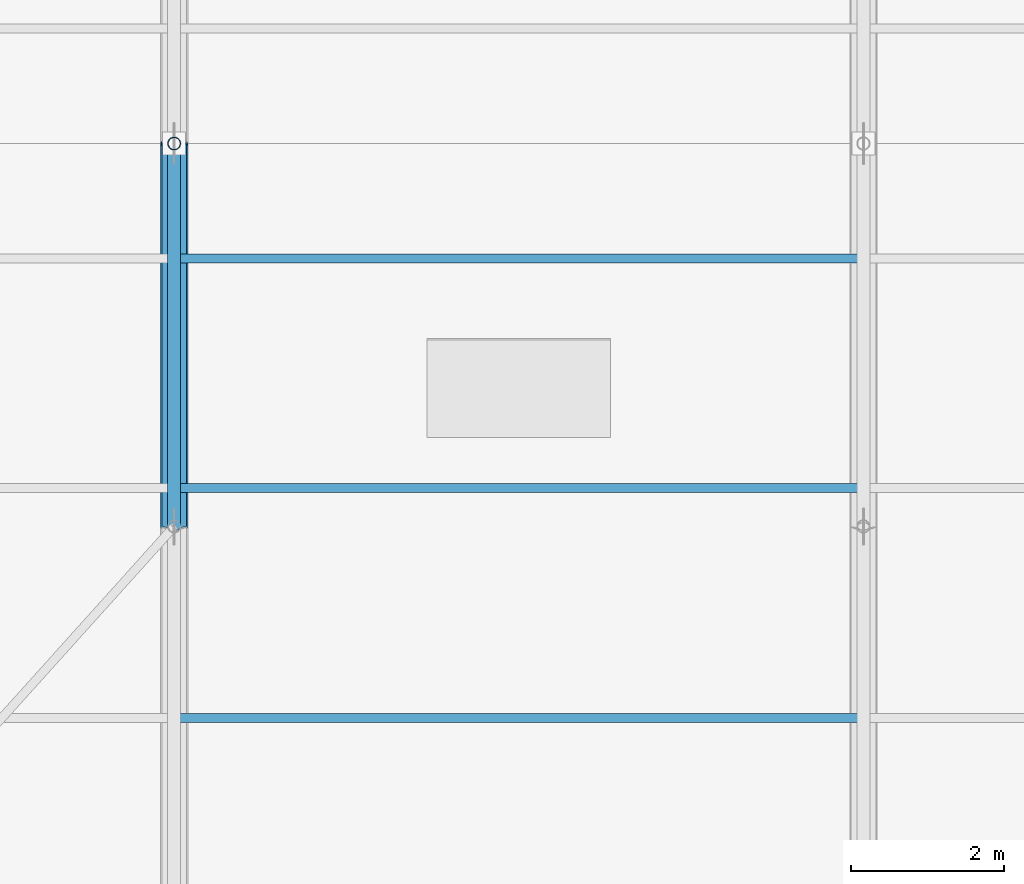
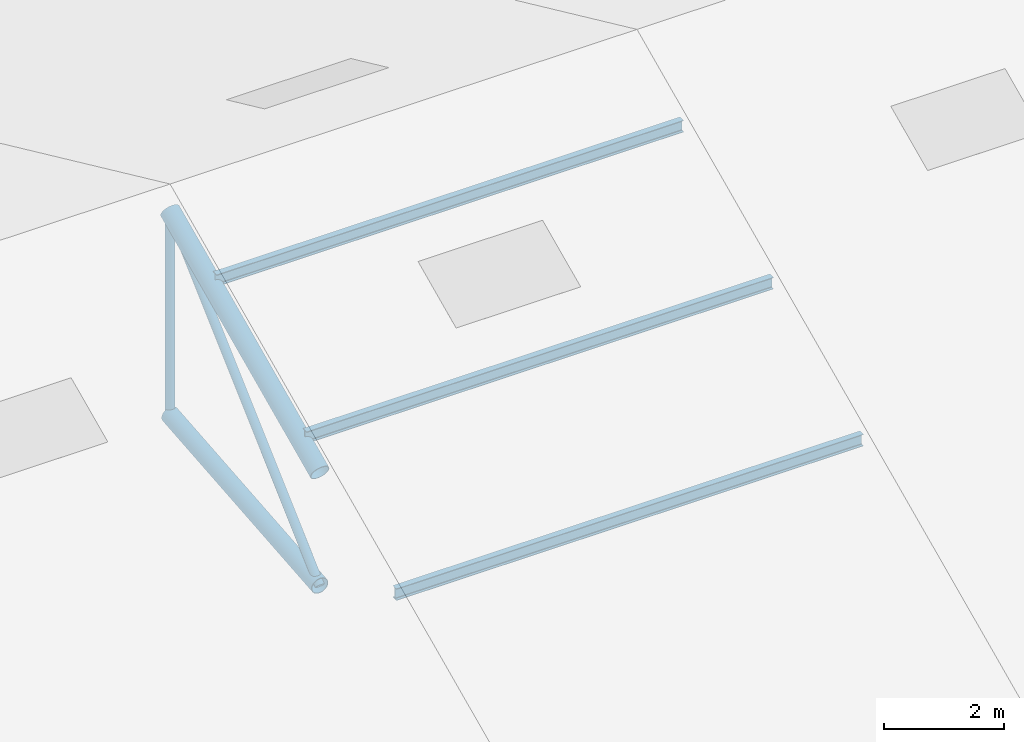
# One storey, part 21 of 107: 7 members.
"""IFC4 building model written with IfcOpenShell, lengths in metres."""

from ifc_helpers import new_model, si_unit, derived_unit, direction, frame, origin, origin_2d, place, context, subcontext, project, spatial, hollow_circle, i_section, extrude, material, material_profile, profile_set, type_object, element, save


model = new_model("IFC4")

# Units and contexts
model_context = context("Model", 3, precision=1e-05, world=origin(), true_north=direction((0.0, 1.0)))
body_context = subcontext(model_context, "Body", "Model", "MODEL_VIEW")
ifc_project = project(units=[si_unit("LENGTHUNIT", "METRE"), si_unit("AREAUNIT", "SQUARE_METRE"), si_unit("VOLUMEUNIT", "CUBIC_METRE"), si_unit("PLANEANGLEUNIT", "RADIAN"), si_unit("MASSUNIT", "GRAM", prefix="KILO"), si_unit("THERMODYNAMICTEMPERATUREUNIT", "KELVIN"), si_unit("TIMEUNIT", "SECOND"), derived_unit("THERMALTRANSMITTANCEUNIT", [(si_unit("MASSUNIT", "GRAM", prefix="KILO"), 1), (si_unit("THERMODYNAMICTEMPERATUREUNIT", "KELVIN"), -1), (si_unit("TIMEUNIT", "SECOND"), -3)])], contexts=[model_context])

# Site, building, storey
site_placement = place(None, origin())
site = spatial("IfcSite", under=ifc_project, at=site_placement, CompositionType="ELEMENT")
building_placement = place(site_placement, origin())
building = spatial("IfcBuilding", under=site, at=building_placement, Name="Cambertide Market Hall", CompositionType="ELEMENT")
storey_placement = place(building_placement, frame((0.0, 0.0, 18.300048828125)))
storey = spatial("IfcBuildingStorey", under=building, at=storey_placement, Name="RF", CompositionType="ELEMENT", Elevation=18.300048828125)

# Members
ifc_material_1 = material(Name="Steel S355", Category="steel")
ifc_material_profile_1 = material_profile(ifc_material_1, hollow_circle(Radius=0.161865234375, WallThickness=0.010009765625, at=origin_2d()), Name="CHS 323.9x10")
ifc_profile_set_1 = profile_set([ifc_material_profile_1], Name="Steel S355")
member_type_1 = type_object("IfcMemberType", Name="Arched Truss Chord CHS 323.9x10", PredefinedType="CHORD", material=ifc_profile_set_1)
member_1_placement = place(storey_placement, frame((78.0, 67.0, -4.955322265625), z_axis=(0.0, 0.9958792443, 0.090689198761), x_axis=(-1.0, 0.0, 0.0)))
element("IfcMember", 1, at=member_1_placement, inside=storey, type_object=member_type_1, Name="Roof Truss 5 Arched Bottom Chord 4", PredefinedType="CHORD", context=body_context, shape_type="SweptSolid", body=[
    extrude(hollow_circle(Radius=0.161865234375, WallThickness=0.010009765625, at=origin_2d()), origin(), (0.0, 0.0, 1.0), 5.020751953125),
])
ifc_material_2 = material(Name="Steel S355", Category="steel")
ifc_material_profile_2 = material_profile(ifc_material_2, hollow_circle(Radius=0.177734375, WallThickness=0.012451171875, at=origin_2d()), Name="CHS 355.6x12.5")
ifc_profile_set_2 = profile_set([ifc_material_profile_2], Name="Steel S355")
member_type_2 = type_object("IfcMemberType", Name="Arched Truss Chord CHS 355.6x12.5", PredefinedType="CHORD", material=ifc_profile_set_2)
member_2_placement = place(storey_placement, frame((78.0, 67.0, -2.650146484375), z_axis=(0.0, 0.908487084298, 0.417912930721), x_axis=(-1.0, 0.0, 0.0)))
element("IfcMember", 2, at=member_2_placement, inside=storey, type_object=member_type_2, Name="Roof Truss 5 Top Chord 4", PredefinedType="CHORD", context=body_context, shape_type="SweptSolid", body=[
    extrude(hollow_circle(Radius=0.177734375, WallThickness=0.012451171875, at=origin_2d()), origin(), (0.0, 0.0, 1.0), 5.503662109375),
])
ifc_material_3 = material(Name="Steel S275", Category="steel")
ifc_material_profile_3 = material_profile(ifc_material_3, i_section(OverallWidth=0.1201171875, OverallDepth=0.239990234375, WebThickness=0.006103515625, FlangeThickness=0.009765625, FilletRadius=0.014892578125, at=origin_2d()), Name="IPE 240")
ifc_profile_set_3 = profile_set([ifc_material_profile_3], Name="Steel S275")
member_type_3 = type_object("IfcMemberType", Name="Roof Purlin IPE 240", PredefinedType="PURLIN", material=ifc_profile_set_3)
for number, where, z_axis, x_axis, name in (
    (3, (78.0, 64.5, -3.590087890625), (1.0, 0.0, 0.0), (0.0, 1.0, 0.0), "Barrel Roof Purlin 5-06"),
    (4, (78.0, 67.5, -2.2099609375), (1.0, 0.0, 0.0), (0.0, 1.0, 0.0), "Barrel Roof Purlin 5-07"),
    (5, (78.0, 70.5, -0.830078125), (1.0, 0.0, 0.0), (0.0, 1.0, 0.0), "Barrel Roof Purlin 5-08"),
):
    element("IfcMember", number, at=place(storey_placement, frame(where, z_axis=z_axis, x_axis=x_axis)), inside=storey, type_object=member_type_3, Name=name, PredefinedType="PURLIN", context=body_context, shape_type="SweptSolid", body=[
        extrude(i_section(OverallWidth=0.1201171875, OverallDepth=0.239990234375, WebThickness=0.006103515625, FlangeThickness=0.009765625, FilletRadius=0.014892578125, at=origin_2d()), origin(), (0.0, 0.0, 1.0), 9.0),
    ])
ifc_material_4 = material(Name="Steel S355", Category="steel")
ifc_material_profile_4 = material_profile(ifc_material_4, hollow_circle(Radius=0.084228515625, WallThickness=0.00634765625, at=origin_2d()), Name="CHS 168.3x6.3")
ifc_profile_set_4 = profile_set([ifc_material_profile_4], Name="Steel S355")
member_type_4 = type_object("IfcMemberType", Name="Structural Brace CHS 168.3x6.3", PredefinedType="BRACE", material=ifc_profile_set_4)
member_3_placement = place(storey_placement, frame((78.0, 67.0, -4.955322265625), z_axis=(0.0, 0.73554793102, 0.677472686662), x_axis=(-1.0, 0.0, 0.0)))
element("IfcMember", 6, at=member_3_placement, inside=storey, type_object=member_type_4, Name="Roof Truss 5 Web Diagonal 4", PredefinedType="BRACE", context=body_context, shape_type="SweptSolid", body=[
    extrude(hollow_circle(Radius=0.084228515625, WallThickness=0.00634765625, at=origin_2d()), origin(), (0.0, 0.0, 1.0), 6.797607421875),
])
member_4_placement = place(storey_placement, frame((78.0, 72.0, -4.5), z_axis=(0.0, 0.0, 1.0), x_axis=(1.0, 0.0, 0.0)))
element("IfcMember", 7, at=member_4_placement, inside=storey, type_object=member_type_4, Name="Roof Truss 5 Web Post 5", PredefinedType="BRACE", context=body_context, shape_type="SweptSolid", body=[
    extrude(hollow_circle(Radius=0.084228515625, WallThickness=0.00634765625, at=origin_2d()), origin(), (0.0, 0.0, 1.0), 4.14990234375),
])

save(model, "model.ifc")
